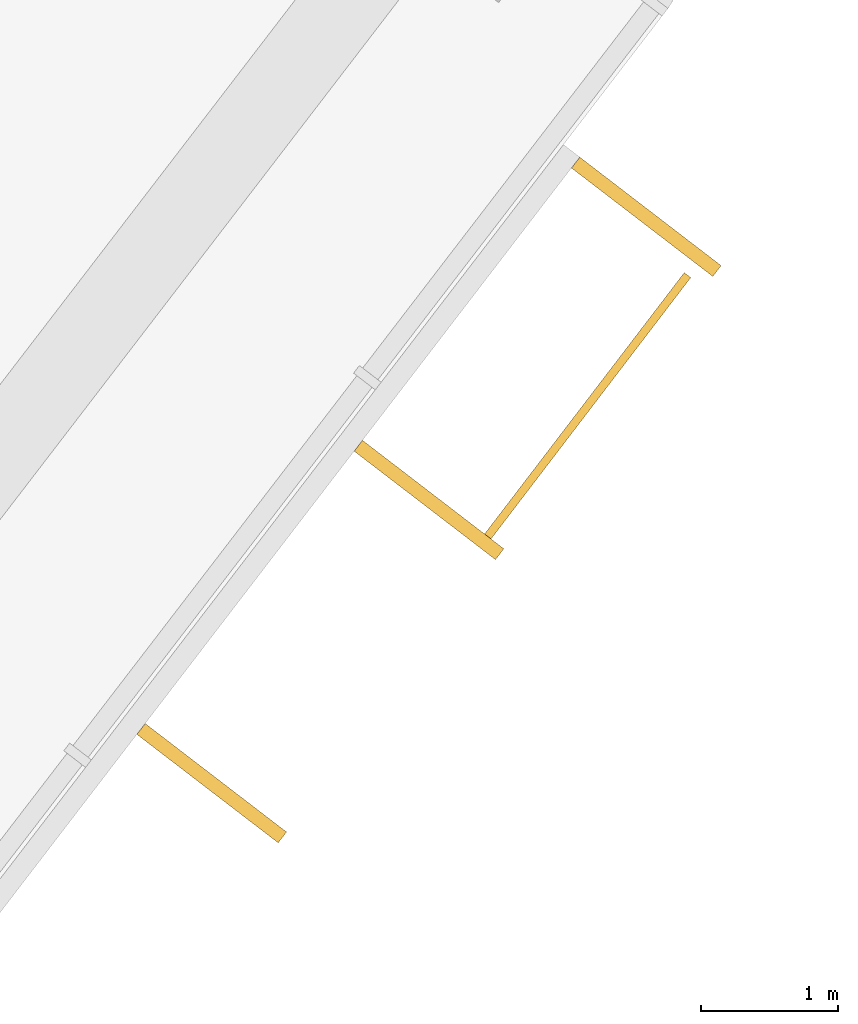
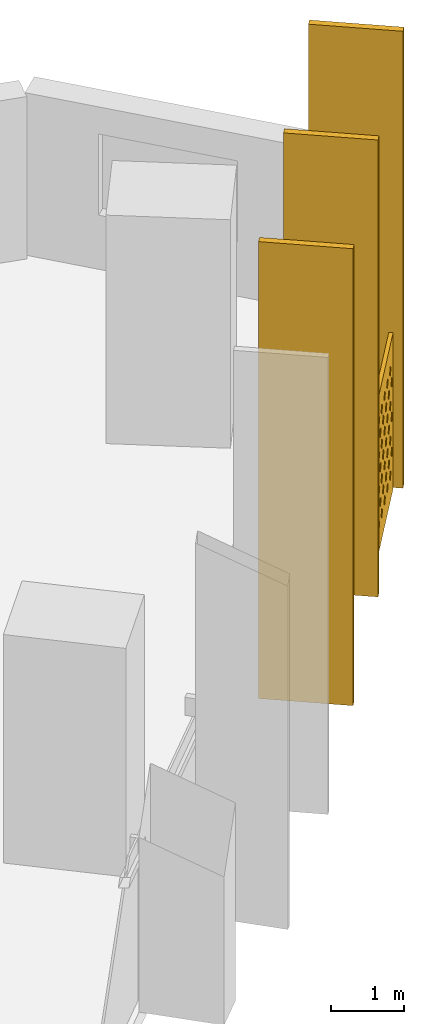
# One storey, part 32 of 32: 4 shading devices.
"""IFC4 building model written with IfcOpenShell, lengths in metres."""

from ifc_helpers import new_model, si_unit, direction, frame, origin, origin_2d, place, context, subcontext, project, spatial, polyline, rectangle, outline, extrude, material, material_profile, profile_set, type_object, element, save


model = new_model("IFC4")

# Units and contexts
model_context = context("Model", 3, precision=1e-05, world=origin(), true_north=direction((0.0, 1.0)))
body_context = subcontext(model_context, "Body", "Model", "MODEL_VIEW")
ifc_project = project(units=[si_unit("LENGTHUNIT", "METRE"), si_unit("AREAUNIT", "SQUARE_METRE"), si_unit("VOLUMEUNIT", "CUBIC_METRE"), si_unit("PLANEANGLEUNIT", "RADIAN"), si_unit("MASSUNIT", "GRAM", prefix="KILO")], contexts=[model_context])

# Site, building, storey
site_placement = place(None, origin())
site = spatial("IfcSite", under=ifc_project, at=site_placement, CompositionType="ELEMENT")
building_placement = place(site_placement, origin())
building = spatial("IfcBuilding", under=site, at=building_placement, Name="Qamariyya Broadcast Tower", CompositionType="ELEMENT")
storey_placement = place(building_placement, frame((0.0, 0.0, 70.89990234375)))
storey = spatial("IfcBuildingStorey", under=building, at=storey_placement, Name="L14", CompositionType="ELEMENT", Elevation=70.89990234375)

# Shading devices
ifc_material_1 = material(Name="Perforated glazed terracotta", Category="masonry")
ifc_material_profile_1 = material_profile(ifc_material_1, outline(polyline([(-1.199951171875, -1.300048828125), (1.199951171875, -1.300048828125), (1.199951171875, 1.300048828125), (-1.199951171875, 1.300048828125), (-1.199951171875, -1.300048828125)]), holes=[polyline([(-0.81494140625, -0.86669921875), (-0.89990234375, -0.78173828125), (-0.985107421875, -0.86669921875), (-0.89990234375, -0.95166015625), (-0.81494140625, -0.86669921875)]), polyline([(-0.514892578125, -0.86669921875), (-0.60009765625, -0.78173828125), (-0.68505859375, -0.86669921875), (-0.60009765625, -0.95166015625), (-0.514892578125, -0.86669921875)]), polyline([(-0.215087890625, -0.86669921875), (-0.300048828125, -0.78173828125), (-0.385009765625, -0.86669921875), (-0.300048828125, -0.95166015625), (-0.215087890625, -0.86669921875)]), polyline([(0.0849609375, -0.86669921875), (0.0, -0.78173828125), (-0.0849609375, -0.86669921875), (0.0, -0.95166015625), (0.0849609375, -0.86669921875)]), polyline([(0.385009765625, -0.86669921875), (0.300048828125, -0.78173828125), (0.215087890625, -0.86669921875), (0.300048828125, -0.95166015625), (0.385009765625, -0.86669921875)]), polyline([(0.68505859375, -0.86669921875), (0.60009765625, -0.78173828125), (0.514892578125, -0.86669921875), (0.60009765625, -0.95166015625), (0.68505859375, -0.86669921875)]), polyline([(0.985107421875, -0.86669921875), (0.89990234375, -0.78173828125), (0.81494140625, -0.86669921875), (0.89990234375, -0.95166015625), (0.985107421875, -0.86669921875)]), polyline([(-0.965087890625, -0.577880859375), (-1.050048828125, -0.49267578125), (-1.135009765625, -0.577880859375), (-1.050048828125, -0.662841796875), (-0.965087890625, -0.577880859375)]), polyline([(-0.6650390625, -0.577880859375), (-0.75, -0.49267578125), (-0.8349609375, -0.577880859375), (-0.75, -0.662841796875), (-0.6650390625, -0.577880859375)]), polyline([(-0.364990234375, -0.577880859375), (-0.449951171875, -0.49267578125), (-0.534912109375, -0.577880859375), (-0.449951171875, -0.662841796875), (-0.364990234375, -0.577880859375)]), polyline([(-0.06494140625, -0.577880859375), (-0.14990234375, -0.49267578125), (-0.235107421875, -0.577880859375), (-0.14990234375, -0.662841796875), (-0.06494140625, -0.577880859375)]), polyline([(0.235107421875, -0.577880859375), (0.14990234375, -0.49267578125), (0.06494140625, -0.577880859375), (0.14990234375, -0.662841796875), (0.235107421875, -0.577880859375)]), polyline([(0.534912109375, -0.577880859375), (0.449951171875, -0.49267578125), (0.364990234375, -0.577880859375), (0.449951171875, -0.662841796875), (0.534912109375, -0.577880859375)]), polyline([(0.8349609375, -0.577880859375), (0.75, -0.49267578125), (0.6650390625, -0.577880859375), (0.75, -0.662841796875), (0.8349609375, -0.577880859375)]), polyline([(1.135009765625, -0.577880859375), (1.050048828125, -0.49267578125), (0.965087890625, -0.577880859375), (1.050048828125, -0.662841796875), (1.135009765625, -0.577880859375)]), polyline([(-0.81494140625, -0.288818359375), (-0.89990234375, -0.203857421875), (-0.985107421875, -0.288818359375), (-0.89990234375, -0.373779296875), (-0.81494140625, -0.288818359375)]), polyline([(-0.514892578125, -0.288818359375), (-0.60009765625, -0.203857421875), (-0.68505859375, -0.288818359375), (-0.60009765625, -0.373779296875), (-0.514892578125, -0.288818359375)]), polyline([(-0.215087890625, -0.288818359375), (-0.300048828125, -0.203857421875), (-0.385009765625, -0.288818359375), (-0.300048828125, -0.373779296875), (-0.215087890625, -0.288818359375)]), polyline([(0.0849609375, -0.288818359375), (0.0, -0.203857421875), (-0.0849609375, -0.288818359375), (0.0, -0.373779296875), (0.0849609375, -0.288818359375)]), polyline([(0.385009765625, -0.288818359375), (0.300048828125, -0.203857421875), (0.215087890625, -0.288818359375), (0.300048828125, -0.373779296875), (0.385009765625, -0.288818359375)]), polyline([(0.68505859375, -0.288818359375), (0.60009765625, -0.203857421875), (0.514892578125, -0.288818359375), (0.60009765625, -0.373779296875), (0.68505859375, -0.288818359375)]), polyline([(0.985107421875, -0.288818359375), (0.89990234375, -0.203857421875), (0.81494140625, -0.288818359375), (0.89990234375, -0.373779296875), (0.985107421875, -0.288818359375)]), polyline([(-0.965087890625, 0.0), (-1.050048828125, 0.0849609375), (-1.135009765625, 0.0), (-1.050048828125, -0.0849609375), (-0.965087890625, 0.0)]), polyline([(-0.6650390625, 0.0), (-0.75, 0.0849609375), (-0.8349609375, 0.0), (-0.75, -0.0849609375), (-0.6650390625, 0.0)]), polyline([(-0.364990234375, 0.0), (-0.449951171875, 0.0849609375), (-0.534912109375, 0.0), (-0.449951171875, -0.0849609375), (-0.364990234375, 0.0)]), polyline([(-0.06494140625, 0.0), (-0.14990234375, 0.0849609375), (-0.235107421875, 0.0), (-0.14990234375, -0.0849609375), (-0.06494140625, 0.0)]), polyline([(0.235107421875, 0.0), (0.14990234375, 0.0849609375), (0.06494140625, 0.0), (0.14990234375, -0.0849609375), (0.235107421875, 0.0)]), polyline([(0.534912109375, 0.0), (0.449951171875, 0.0849609375), (0.364990234375, 0.0), (0.449951171875, -0.0849609375), (0.534912109375, 0.0)]), polyline([(0.8349609375, 0.0), (0.75, 0.0849609375), (0.6650390625, 0.0), (0.75, -0.0849609375), (0.8349609375, 0.0)]), polyline([(1.135009765625, 0.0), (1.050048828125, 0.0849609375), (0.965087890625, 0.0), (1.050048828125, -0.0849609375), (1.135009765625, 0.0)]), polyline([(-0.81494140625, 0.288818359375), (-0.89990234375, 0.373779296875), (-0.985107421875, 0.288818359375), (-0.89990234375, 0.203857421875), (-0.81494140625, 0.288818359375)]), polyline([(-0.514892578125, 0.288818359375), (-0.60009765625, 0.373779296875), (-0.68505859375, 0.288818359375), (-0.60009765625, 0.203857421875), (-0.514892578125, 0.288818359375)]), polyline([(-0.215087890625, 0.288818359375), (-0.300048828125, 0.373779296875), (-0.385009765625, 0.288818359375), (-0.300048828125, 0.203857421875), (-0.215087890625, 0.288818359375)]), polyline([(0.0849609375, 0.288818359375), (0.0, 0.373779296875), (-0.0849609375, 0.288818359375), (0.0, 0.203857421875), (0.0849609375, 0.288818359375)]), polyline([(0.385009765625, 0.288818359375), (0.300048828125, 0.373779296875), (0.215087890625, 0.288818359375), (0.300048828125, 0.203857421875), (0.385009765625, 0.288818359375)]), polyline([(0.68505859375, 0.288818359375), (0.60009765625, 0.373779296875), (0.514892578125, 0.288818359375), (0.60009765625, 0.203857421875), (0.68505859375, 0.288818359375)]), polyline([(0.985107421875, 0.288818359375), (0.89990234375, 0.373779296875), (0.81494140625, 0.288818359375), (0.89990234375, 0.203857421875), (0.985107421875, 0.288818359375)]), polyline([(-0.965087890625, 0.577880859375), (-1.050048828125, 0.662841796875), (-1.135009765625, 0.577880859375), (-1.050048828125, 0.49267578125), (-0.965087890625, 0.577880859375)]), polyline([(-0.6650390625, 0.577880859375), (-0.75, 0.662841796875), (-0.8349609375, 0.577880859375), (-0.75, 0.49267578125), (-0.6650390625, 0.577880859375)]), polyline([(-0.364990234375, 0.577880859375), (-0.449951171875, 0.662841796875), (-0.534912109375, 0.577880859375), (-0.449951171875, 0.49267578125), (-0.364990234375, 0.577880859375)]), polyline([(-0.06494140625, 0.577880859375), (-0.14990234375, 0.662841796875), (-0.235107421875, 0.577880859375), (-0.14990234375, 0.49267578125), (-0.06494140625, 0.577880859375)]), polyline([(0.235107421875, 0.577880859375), (0.14990234375, 0.662841796875), (0.06494140625, 0.577880859375), (0.14990234375, 0.49267578125), (0.235107421875, 0.577880859375)]), polyline([(0.534912109375, 0.577880859375), (0.449951171875, 0.662841796875), (0.364990234375, 0.577880859375), (0.449951171875, 0.49267578125), (0.534912109375, 0.577880859375)]), polyline([(0.8349609375, 0.577880859375), (0.75, 0.662841796875), (0.6650390625, 0.577880859375), (0.75, 0.49267578125), (0.8349609375, 0.577880859375)]), polyline([(1.135009765625, 0.577880859375), (1.050048828125, 0.662841796875), (0.965087890625, 0.577880859375), (1.050048828125, 0.49267578125), (1.135009765625, 0.577880859375)]), polyline([(-0.81494140625, 0.86669921875), (-0.89990234375, 0.95166015625), (-0.985107421875, 0.86669921875), (-0.89990234375, 0.78173828125), (-0.81494140625, 0.86669921875)]), polyline([(-0.514892578125, 0.86669921875), (-0.60009765625, 0.95166015625), (-0.68505859375, 0.86669921875), (-0.60009765625, 0.78173828125), (-0.514892578125, 0.86669921875)]), polyline([(-0.215087890625, 0.86669921875), (-0.300048828125, 0.95166015625), (-0.385009765625, 0.86669921875), (-0.300048828125, 0.78173828125), (-0.215087890625, 0.86669921875)]), polyline([(0.0849609375, 0.86669921875), (0.0, 0.95166015625), (-0.0849609375, 0.86669921875), (0.0, 0.78173828125), (0.0849609375, 0.86669921875)]), polyline([(0.385009765625, 0.86669921875), (0.300048828125, 0.95166015625), (0.215087890625, 0.86669921875), (0.300048828125, 0.78173828125), (0.385009765625, 0.86669921875)]), polyline([(0.68505859375, 0.86669921875), (0.60009765625, 0.95166015625), (0.514892578125, 0.86669921875), (0.60009765625, 0.78173828125), (0.68505859375, 0.86669921875)]), polyline([(0.985107421875, 0.86669921875), (0.89990234375, 0.95166015625), (0.81494140625, 0.86669921875), (0.89990234375, 0.78173828125), (0.985107421875, 0.86669921875)])]))
ifc_profile_set_1 = profile_set([ifc_material_profile_1], Name="Perforated glazed terracotta")
shading_device_type_1 = type_object("IfcShadingDeviceType", Name="Perforated terracotta screen 2400 x 2600", PredefinedType="USERDEFINED", material=ifc_profile_set_1)
shading_device_placement = place(storey_placement, frame((65.61669921875, -47.13232421875, 1.35009765625), z_axis=(0.794589096806, -0.607147566278, 0.0), x_axis=(0.607147566278, 0.794589096806, 0.0)))
element("IfcShadingDevice", 1, at=shading_device_placement, inside=storey, type_object=shading_device_type_1, Name="e-scr-L14-15-2", ObjectType="SCREEN", PredefinedType="USERDEFINED", context=body_context, shape_type="SweptSolid", body=[
    extrude(outline(polyline([(-1.199951171875, -1.300048828125), (1.199951171875, -1.300048828125), (1.199951171875, 1.300048828125), (-1.199951171875, 1.300048828125), (-1.199951171875, -1.300048828125)]), holes=[polyline([(-0.81494140625, -0.86669921875), (-0.89990234375, -0.78173828125), (-0.985107421875, -0.86669921875), (-0.89990234375, -0.95166015625), (-0.81494140625, -0.86669921875)]), polyline([(-0.514892578125, -0.86669921875), (-0.60009765625, -0.78173828125), (-0.68505859375, -0.86669921875), (-0.60009765625, -0.95166015625), (-0.514892578125, -0.86669921875)]), polyline([(-0.215087890625, -0.86669921875), (-0.300048828125, -0.78173828125), (-0.385009765625, -0.86669921875), (-0.300048828125, -0.95166015625), (-0.215087890625, -0.86669921875)]), polyline([(0.0849609375, -0.86669921875), (0.0, -0.78173828125), (-0.0849609375, -0.86669921875), (0.0, -0.95166015625), (0.0849609375, -0.86669921875)]), polyline([(0.385009765625, -0.86669921875), (0.300048828125, -0.78173828125), (0.215087890625, -0.86669921875), (0.300048828125, -0.95166015625), (0.385009765625, -0.86669921875)]), polyline([(0.68505859375, -0.86669921875), (0.60009765625, -0.78173828125), (0.514892578125, -0.86669921875), (0.60009765625, -0.95166015625), (0.68505859375, -0.86669921875)]), polyline([(0.985107421875, -0.86669921875), (0.89990234375, -0.78173828125), (0.81494140625, -0.86669921875), (0.89990234375, -0.95166015625), (0.985107421875, -0.86669921875)]), polyline([(-0.965087890625, -0.577880859375), (-1.050048828125, -0.49267578125), (-1.135009765625, -0.577880859375), (-1.050048828125, -0.662841796875), (-0.965087890625, -0.577880859375)]), polyline([(-0.6650390625, -0.577880859375), (-0.75, -0.49267578125), (-0.8349609375, -0.577880859375), (-0.75, -0.662841796875), (-0.6650390625, -0.577880859375)]), polyline([(-0.364990234375, -0.577880859375), (-0.449951171875, -0.49267578125), (-0.534912109375, -0.577880859375), (-0.449951171875, -0.662841796875), (-0.364990234375, -0.577880859375)]), polyline([(-0.06494140625, -0.577880859375), (-0.14990234375, -0.49267578125), (-0.235107421875, -0.577880859375), (-0.14990234375, -0.662841796875), (-0.06494140625, -0.577880859375)]), polyline([(0.235107421875, -0.577880859375), (0.14990234375, -0.49267578125), (0.06494140625, -0.577880859375), (0.14990234375, -0.662841796875), (0.235107421875, -0.577880859375)]), polyline([(0.534912109375, -0.577880859375), (0.449951171875, -0.49267578125), (0.364990234375, -0.577880859375), (0.449951171875, -0.662841796875), (0.534912109375, -0.577880859375)]), polyline([(0.8349609375, -0.577880859375), (0.75, -0.49267578125), (0.6650390625, -0.577880859375), (0.75, -0.662841796875), (0.8349609375, -0.577880859375)]), polyline([(1.135009765625, -0.577880859375), (1.050048828125, -0.49267578125), (0.965087890625, -0.577880859375), (1.050048828125, -0.662841796875), (1.135009765625, -0.577880859375)]), polyline([(-0.81494140625, -0.288818359375), (-0.89990234375, -0.203857421875), (-0.985107421875, -0.288818359375), (-0.89990234375, -0.373779296875), (-0.81494140625, -0.288818359375)]), polyline([(-0.514892578125, -0.288818359375), (-0.60009765625, -0.203857421875), (-0.68505859375, -0.288818359375), (-0.60009765625, -0.373779296875), (-0.514892578125, -0.288818359375)]), polyline([(-0.215087890625, -0.288818359375), (-0.300048828125, -0.203857421875), (-0.385009765625, -0.288818359375), (-0.300048828125, -0.373779296875), (-0.215087890625, -0.288818359375)]), polyline([(0.0849609375, -0.288818359375), (0.0, -0.203857421875), (-0.0849609375, -0.288818359375), (0.0, -0.373779296875), (0.0849609375, -0.288818359375)]), polyline([(0.385009765625, -0.288818359375), (0.300048828125, -0.203857421875), (0.215087890625, -0.288818359375), (0.300048828125, -0.373779296875), (0.385009765625, -0.288818359375)]), polyline([(0.68505859375, -0.288818359375), (0.60009765625, -0.203857421875), (0.514892578125, -0.288818359375), (0.60009765625, -0.373779296875), (0.68505859375, -0.288818359375)]), polyline([(0.985107421875, -0.288818359375), (0.89990234375, -0.203857421875), (0.81494140625, -0.288818359375), (0.89990234375, -0.373779296875), (0.985107421875, -0.288818359375)]), polyline([(-0.965087890625, 0.0), (-1.050048828125, 0.0849609375), (-1.135009765625, 0.0), (-1.050048828125, -0.0849609375), (-0.965087890625, 0.0)]), polyline([(-0.6650390625, 0.0), (-0.75, 0.0849609375), (-0.8349609375, 0.0), (-0.75, -0.0849609375), (-0.6650390625, 0.0)]), polyline([(-0.364990234375, 0.0), (-0.449951171875, 0.0849609375), (-0.534912109375, 0.0), (-0.449951171875, -0.0849609375), (-0.364990234375, 0.0)]), polyline([(-0.06494140625, 0.0), (-0.14990234375, 0.0849609375), (-0.235107421875, 0.0), (-0.14990234375, -0.0849609375), (-0.06494140625, 0.0)]), polyline([(0.235107421875, 0.0), (0.14990234375, 0.0849609375), (0.06494140625, 0.0), (0.14990234375, -0.0849609375), (0.235107421875, 0.0)]), polyline([(0.534912109375, 0.0), (0.449951171875, 0.0849609375), (0.364990234375, 0.0), (0.449951171875, -0.0849609375), (0.534912109375, 0.0)]), polyline([(0.8349609375, 0.0), (0.75, 0.0849609375), (0.6650390625, 0.0), (0.75, -0.0849609375), (0.8349609375, 0.0)]), polyline([(1.135009765625, 0.0), (1.050048828125, 0.0849609375), (0.965087890625, 0.0), (1.050048828125, -0.0849609375), (1.135009765625, 0.0)]), polyline([(-0.81494140625, 0.288818359375), (-0.89990234375, 0.373779296875), (-0.985107421875, 0.288818359375), (-0.89990234375, 0.203857421875), (-0.81494140625, 0.288818359375)]), polyline([(-0.514892578125, 0.288818359375), (-0.60009765625, 0.373779296875), (-0.68505859375, 0.288818359375), (-0.60009765625, 0.203857421875), (-0.514892578125, 0.288818359375)]), polyline([(-0.215087890625, 0.288818359375), (-0.300048828125, 0.373779296875), (-0.385009765625, 0.288818359375), (-0.300048828125, 0.203857421875), (-0.215087890625, 0.288818359375)]), polyline([(0.0849609375, 0.288818359375), (0.0, 0.373779296875), (-0.0849609375, 0.288818359375), (0.0, 0.203857421875), (0.0849609375, 0.288818359375)]), polyline([(0.385009765625, 0.288818359375), (0.300048828125, 0.373779296875), (0.215087890625, 0.288818359375), (0.300048828125, 0.203857421875), (0.385009765625, 0.288818359375)]), polyline([(0.68505859375, 0.288818359375), (0.60009765625, 0.373779296875), (0.514892578125, 0.288818359375), (0.60009765625, 0.203857421875), (0.68505859375, 0.288818359375)]), polyline([(0.985107421875, 0.288818359375), (0.89990234375, 0.373779296875), (0.81494140625, 0.288818359375), (0.89990234375, 0.203857421875), (0.985107421875, 0.288818359375)]), polyline([(-0.965087890625, 0.577880859375), (-1.050048828125, 0.662841796875), (-1.135009765625, 0.577880859375), (-1.050048828125, 0.49267578125), (-0.965087890625, 0.577880859375)]), polyline([(-0.6650390625, 0.577880859375), (-0.75, 0.662841796875), (-0.8349609375, 0.577880859375), (-0.75, 0.49267578125), (-0.6650390625, 0.577880859375)]), polyline([(-0.364990234375, 0.577880859375), (-0.449951171875, 0.662841796875), (-0.534912109375, 0.577880859375), (-0.449951171875, 0.49267578125), (-0.364990234375, 0.577880859375)]), polyline([(-0.06494140625, 0.577880859375), (-0.14990234375, 0.662841796875), (-0.235107421875, 0.577880859375), (-0.14990234375, 0.49267578125), (-0.06494140625, 0.577880859375)]), polyline([(0.235107421875, 0.577880859375), (0.14990234375, 0.662841796875), (0.06494140625, 0.577880859375), (0.14990234375, 0.49267578125), (0.235107421875, 0.577880859375)]), polyline([(0.534912109375, 0.577880859375), (0.449951171875, 0.662841796875), (0.364990234375, 0.577880859375), (0.449951171875, 0.49267578125), (0.534912109375, 0.577880859375)]), polyline([(0.8349609375, 0.577880859375), (0.75, 0.662841796875), (0.6650390625, 0.577880859375), (0.75, 0.49267578125), (0.8349609375, 0.577880859375)]), polyline([(1.135009765625, 0.577880859375), (1.050048828125, 0.662841796875), (0.965087890625, 0.577880859375), (1.050048828125, 0.49267578125), (1.135009765625, 0.577880859375)]), polyline([(-0.81494140625, 0.86669921875), (-0.89990234375, 0.95166015625), (-0.985107421875, 0.86669921875), (-0.89990234375, 0.78173828125), (-0.81494140625, 0.86669921875)]), polyline([(-0.514892578125, 0.86669921875), (-0.60009765625, 0.95166015625), (-0.68505859375, 0.86669921875), (-0.60009765625, 0.78173828125), (-0.514892578125, 0.86669921875)]), polyline([(-0.215087890625, 0.86669921875), (-0.300048828125, 0.95166015625), (-0.385009765625, 0.86669921875), (-0.300048828125, 0.78173828125), (-0.215087890625, 0.86669921875)]), polyline([(0.0849609375, 0.86669921875), (0.0, 0.95166015625), (-0.0849609375, 0.86669921875), (0.0, 0.78173828125), (0.0849609375, 0.86669921875)]), polyline([(0.385009765625, 0.86669921875), (0.300048828125, 0.95166015625), (0.215087890625, 0.86669921875), (0.300048828125, 0.78173828125), (0.385009765625, 0.86669921875)]), polyline([(0.68505859375, 0.86669921875), (0.60009765625, 0.95166015625), (0.514892578125, 0.86669921875), (0.60009765625, 0.78173828125), (0.68505859375, 0.86669921875)]), polyline([(0.985107421875, 0.86669921875), (0.89990234375, 0.95166015625), (0.81494140625, 0.86669921875), (0.89990234375, 0.78173828125), (0.985107421875, 0.86669921875)])]), origin(), (0.0, 0.0, 1.0), 0.059814453125),
])
ifc_material_2 = material(Name="Glazed terracotta", Category="masonry")
ifc_material_profile_2 = material_profile(ifc_material_2, rectangle(XDim=1.300048828125, YDim=0.10009765625, at=origin_2d()))
ifc_profile_set_2 = profile_set([ifc_material_profile_2], Name="Glazed terracotta")
shading_device_type_2 = type_object("IfcShadingDeviceType", Name="Terracotta fin 100 x 1300", PredefinedType="USERDEFINED", material=ifc_profile_set_2)
for number, where, z_axis, x_axis, name in (
    (2, (62.897216796875, -49.904296875, 0.0), (0.0, 0.0, 1.0), (0.793353340291, -0.608761429009, 0.0), "e-fin-L14-15-1"),
    (3, (64.48291015625, -47.837890625, 0.0), (0.0, 0.0, 1.0), (0.793353340291, -0.608761429009, 0.0), "e-fin-L14-15-2"),
    (4, (66.068359375, -45.771484375, 0.0), (0.0, 0.0, 1.0), (0.793353340291, -0.608761429009, 0.0), "e-fin-L14-15-3"),
):
    element("IfcShadingDevice", number, at=place(storey_placement, frame(where, z_axis=z_axis, x_axis=x_axis)), inside=storey, type_object=shading_device_type_2, Name=name, ObjectType="FIN", PredefinedType="USERDEFINED", context=body_context, shape_type="SweptSolid", body=[
        extrude(rectangle(XDim=1.300048828125, YDim=0.10009765625, at=origin_2d()), origin(), (0.0, 0.0, 1.0), 7.60009765625),
    ])

save(model, "model.ifc")
